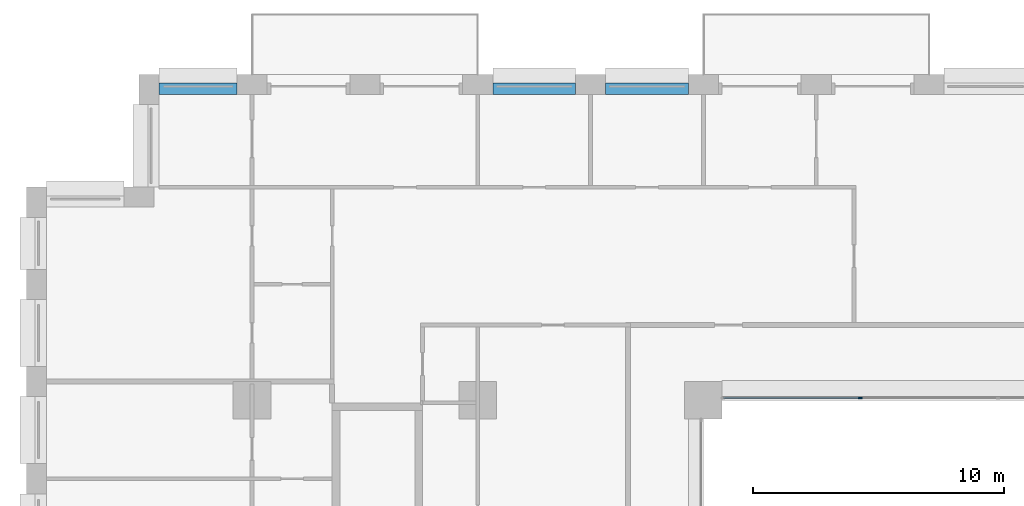
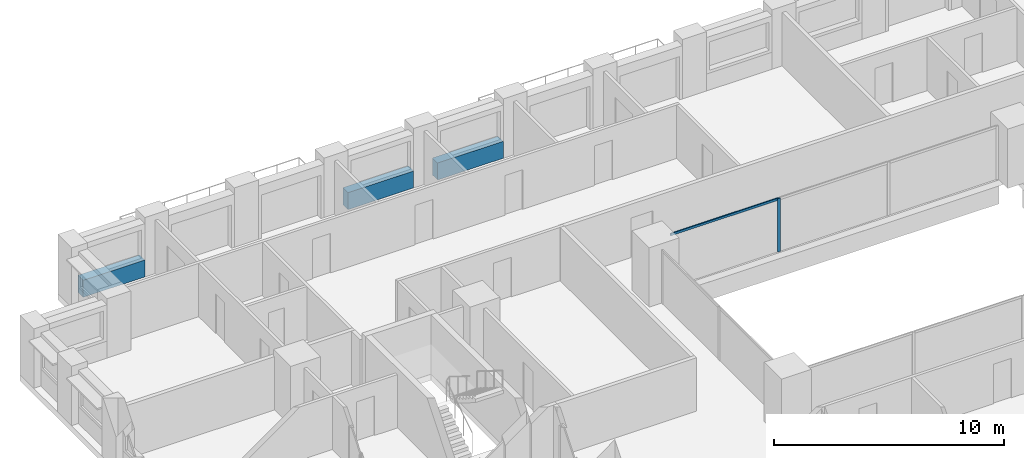
# One storey, part 6 of 20: 3 beams, 2 members, 1 element without a shape of its own.
"""IFC4 building model written with IfcOpenShell, lengths in metres."""

from ifc_helpers import new_model, si_unit, direction, frame, origin, origin_2d, place, context, subcontext, project, spatial, rectangle, extrude, material, layer, layer_set, material_profile, profile_set, type_object, element, aggregate, save


model = new_model("IFC4")

# Units and contexts
model_context = context("Model", 3, precision=1e-05, world=origin(), true_north=direction((0.0, 1.0)))
body_context = subcontext(model_context, "Body", "Model", "MODEL_VIEW")
ifc_project = project(units=[si_unit("LENGTHUNIT", "METRE"), si_unit("AREAUNIT", "SQUARE_METRE"), si_unit("VOLUMEUNIT", "CUBIC_METRE"), si_unit("PLANEANGLEUNIT", "RADIAN"), si_unit("MASSUNIT", "GRAM", prefix="KILO")], contexts=[model_context])

# Site, building, storey
site_placement = place(None, origin())
site = spatial("IfcSite", under=ifc_project, at=site_placement, CompositionType="ELEMENT")
building_placement = place(site_placement, origin())
building = spatial("IfcBuilding", under=site, at=building_placement, Name="Brigalow Station Residences", CompositionType="ELEMENT")
storey_placement = place(building_placement, frame((0.0, 0.0, 44.699951171875)))
storey = spatial("IfcBuildingStorey", under=building, at=storey_placement, Name="L12", CompositionType="ELEMENT", Elevation=44.699951171875)

# Curtain wall, members
ifc_material_1 = material(Name="Aluminium", Category="aluminium")
ifc_layer = layer(ifc_material_1, 0.14990234375)
ifc_layer_set = layer_set([ifc_layer], Name="ATRIUM FIRE-RATED GLAZING CURTAIN WALL")
curtain_wall_type = type_object("IfcCurtainWallType", Name="ATRIUM FIRE-RATED GLAZING CURTAIN WALL", PredefinedType="NOTDEFINED", material=ifc_layer_set)
curtain_wall_placement = place(storey_placement, origin())
curtain_wall = element("IfcCurtainWall", 1, at=curtain_wall_placement, inside=storey, type_object=curtain_wall_type, Name="L12/cw/atrium-N", PredefinedType="NOTDEFINED")
ifc_material_2 = material(Name="Aluminium", Category="aluminium")
ifc_material_profile_1 = material_profile(ifc_material_2, rectangle(XDim=0.06005859375, YDim=0.14990234375, at=origin_2d()), Name="ATRIUM FIRE-RATED GLAZING MULLION 60x150")
ifc_profile_set_1 = profile_set([ifc_material_profile_1], Name="Aluminium")
member_type_1 = type_object("IfcMemberType", Name="ATRIUM FIRE-RATED GLAZING MULLION 60x150", PredefinedType="MULLION", material=ifc_profile_set_1)
member_1_placement = place(storey_placement, frame((33.25, 35.60009765625, 0.0), z_axis=(0.0, 0.0, 1.0), x_axis=(0.0, -1.0, 0.0)))
member_1 = element("IfcMember", 2, at=member_1_placement, type_object=member_type_1, Name="L12/cw/atrium-N/M02", PredefinedType="MULLION", context=body_context, shape_type="SweptSolid", body=[
    extrude(rectangle(XDim=0.06005859375, YDim=0.14990234375, at=origin_2d()), origin(), (0.0, 0.0, 1.0), 2.830078125),
])
ifc_material_3 = material(Name="Aluminium", Category="aluminium")
ifc_material_profile_2 = material_profile(ifc_material_3, rectangle(XDim=0.06005859375, YDim=0.1201171875, at=origin_2d()), Name="ATRIUM FIRE-RATED GLAZING TRANSOM 60x120")
ifc_profile_set_2 = profile_set([ifc_material_profile_2], Name="Aluminium")
member_type_2 = type_object("IfcMemberType", Name="ATRIUM FIRE-RATED GLAZING TRANSOM 60x120", PredefinedType="USERDEFINED", material=ifc_profile_set_2)
member_2_placement = place(storey_placement, frame((33.219970703125, 35.60009765625, 2.800048828125), z_axis=(-1.0, 0.0, 0.0), x_axis=(0.0, -1.0, 0.0)))
member_2 = element("IfcMember", 3, at=member_2_placement, type_object=member_type_2, Name="L12/cw/atrium-N/T02-00", ObjectType="TRANSOM", PredefinedType="USERDEFINED", context=body_context, shape_type="SweptSolid", body=[
    extrude(rectangle(XDim=0.06005859375, YDim=0.1201171875, at=origin_2d()), origin(), (0.0, 0.0, 1.0), 5.409912109375),
])
aggregate(curtain_wall, [member_1, member_2])

# Beams
ifc_material_4 = material(Name="Concrete C65", Category="concrete")
ifc_material_profile_3 = material_profile(ifc_material_4, rectangle(XDim=0.449951171875, YDim=0.89990234375, at=origin_2d()), Name="RC450x900")
ifc_profile_set_3 = profile_set([ifc_material_profile_3], Name="Concrete C65")
beam_type = type_object("IfcBeamType", Name="SPANDREL BEAM 450x900 C65", PredefinedType="SPANDREL", material=ifc_profile_set_3)
for number, where, z_axis, x_axis, name in (
    (4, (26.39990234375, 47.925048828125, 0.449951171875), (-1.0, 0.0, 0.0), (0.0, -1.0, 0.0), "L12/spandrel/W-L12-35"),
    (5, (21.89990234375, 47.925048828125, 0.449951171875), (-1.0, 0.0, 0.0), (0.0, -1.0, 0.0), "L12/spandrel/W-L12-36"),
):
    element("IfcBeam", number, at=place(storey_placement, frame(where, z_axis=z_axis, x_axis=x_axis)), inside=storey, type_object=beam_type, Name=name, PredefinedType="SPANDREL", context=body_context, shape_type="SweptSolid", body=[
        extrude(rectangle(XDim=0.449951171875, YDim=0.89990234375, at=origin_2d()), origin(), (0.0, 0.0, 1.0), 3.2998046875),
    ])
beam_placement = place(storey_placement, frame((8.39990234375, 47.925048828125, 0.449951171875), z_axis=(-1.0, 0.0, 0.0), x_axis=(0.0, -1.0, 0.0)))
element("IfcBeam", 6, at=beam_placement, inside=storey, type_object=beam_type, Name="L12/spandrel/W-L12-39", PredefinedType="SPANDREL", context=body_context, shape_type="SweptSolid", body=[
    extrude(rectangle(XDim=0.449951171875, YDim=0.89990234375, at=origin_2d()), origin(), (0.0, 0.0, 1.0), 3.099853515625),
])

save(model, "model.ifc")
